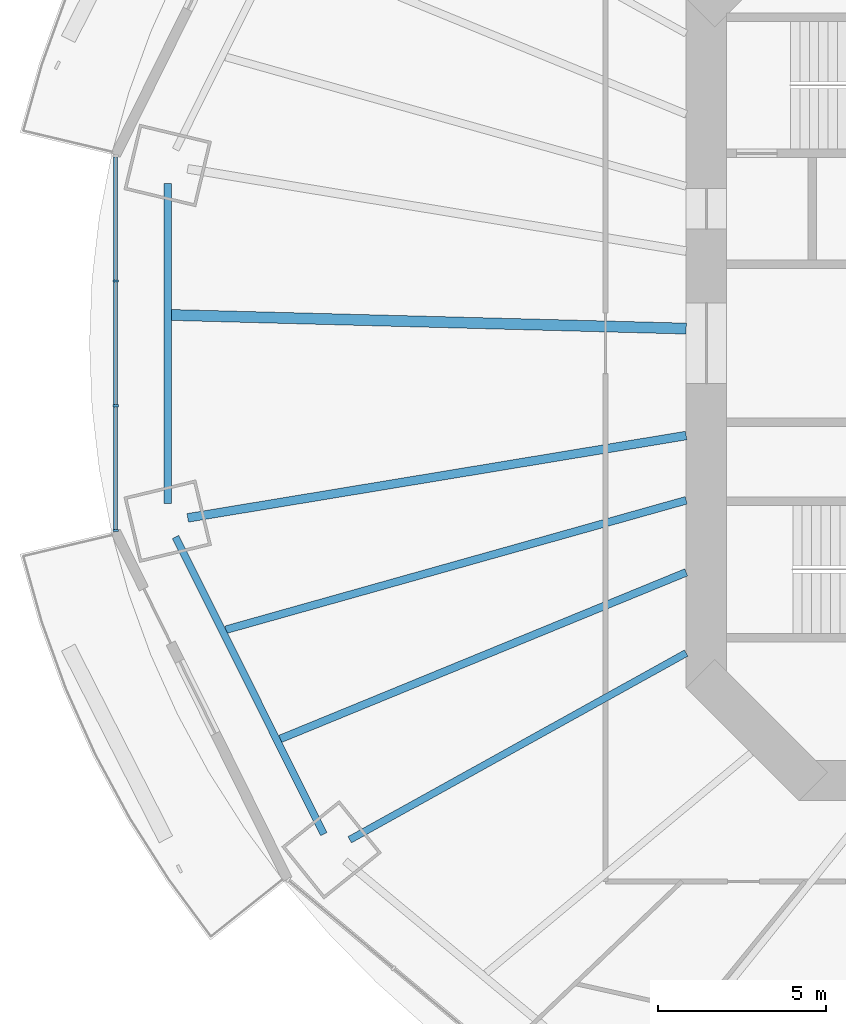
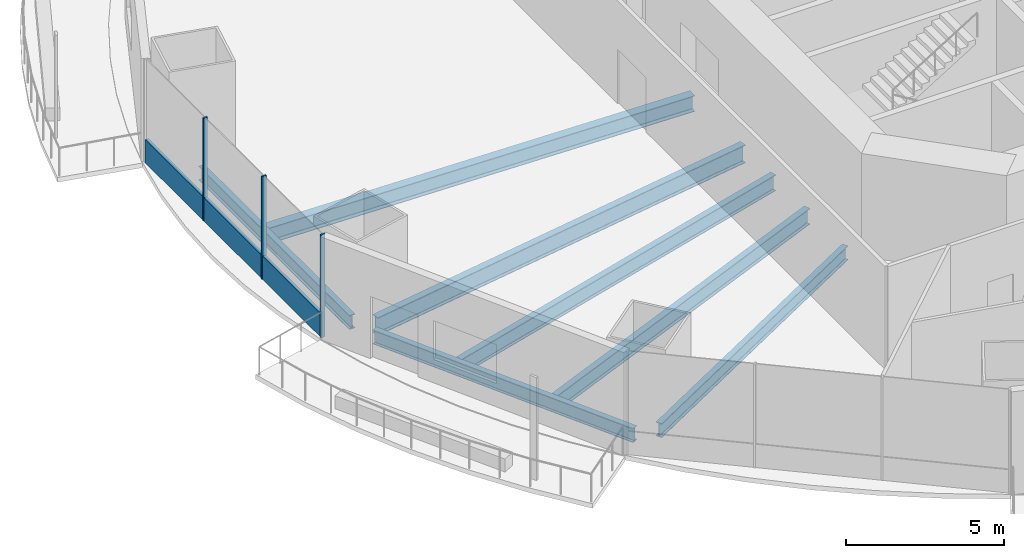
# One storey, part 3 of 22: 7 beams, 4 members, 1 element without a shape of its own.
"""IFC4 building model written with IfcOpenShell, lengths in metres."""

import ifcopenshell
import ifcopenshell.guid

model = None  # the IFC model being written
_history = None  # IfcOwnerHistory: only IFC2X3 demands one
_inside = {}  # id of a spatial element -> (the spatial element, [elements in it])
_under = {}  # id of a project, library or spatial element -> (it, [spatial elements below it])
_declared = {}  # id of a project -> (the project, [libraries it declares])
_typed = {}  # id of a type object -> (the type object, [elements of that type])
_made_of = {}  # id of a material, layer set ... -> (it, [elements and type objects made of it])


def new_model(schema):
    """Start an empty IFC model of exactly this schema.

    Asked for "IFC4X3", IfcOpenShell would pick the latest addendum, in which some entities
    have other attributes; the version numbers below select the first issue.
    IFC2X3 requires an IfcOwnerHistory on every rooted entity: one is made here for all.
    """
    global model, _history
    if schema == "IFC4X3":
        model = ifcopenshell.file(schema_version=(4, 3, 0, 0))
    else:
        model = ifcopenshell.file(schema=schema)
    _inside.clear()
    _under.clear()
    _declared.clear()
    _typed.clear()
    _made_of.clear()
    _history = None
    if model.schema == "IFC2X3":
        org = make("IfcOrganization", Name="unknown")
        user = make(
            "IfcPersonAndOrganization",
            ThePerson=make("IfcPerson", FamilyName="unknown"),
            TheOrganization=org,
        )
        app = make(
            "IfcApplication",
            ApplicationDeveloper=org,
            Version="unknown",
            ApplicationFullName="unknown",
            ApplicationIdentifier="unknown",
        )
        _history = make(
            "IfcOwnerHistory",
            OwningUser=user,
            OwningApplication=app,
            ChangeAction="ADDED",
            CreationDate=0,
        )
    return model


def make(cls, **values):
    """One entity of the class cls with the attributes given. An attribute that is None is left unset."""
    return model.create_entity(
        cls, **{name: value for name, value in values.items() if value is not None}
    )


def rooted(cls, **values):
    """An entity with a GlobalId (a new one), such as an element, a storey or a relation."""
    return make(cls, GlobalId=ifcopenshell.guid.new(), OwnerHistory=_history, **values)


def si_unit(unit_type, name, prefix=None):
    """IfcSIUnit, for example si_unit("LENGTHUNIT", "METRE", prefix="MILLI")."""
    return make("IfcSIUnit", UnitType=unit_type, Prefix=prefix, Name=name)


def assignment(units):
    """IfcUnitAssignment: the units of a project."""
    return None if units is None else make("IfcUnitAssignment", Units=units)


def point(xyz):
    """IfcCartesianPoint."""
    return None if xyz is None else make("IfcCartesianPoint", Coordinates=xyz)


def direction(xyz):
    """IfcDirection."""
    return None if xyz is None else make("IfcDirection", DirectionRatios=xyz)


def frame(location, z_axis=None, x_axis=None):
    """IfcAxis2Placement3D, a coordinate frame: its origin and axes. An axis left out is left unset."""
    return make(
        "IfcAxis2Placement3D",
        Location=point(location),
        Axis=direction(z_axis),
        RefDirection=direction(x_axis),
    )


def frame_2d(location, x_axis=None):
    """IfcAxis2Placement2D, a coordinate frame in the plane: its origin and x axis."""
    return make(
        "IfcAxis2Placement2D", Location=point(location), RefDirection=direction(x_axis)
    )


def origin():
    """The frame at (0, 0, 0) with its axes left unset."""
    return frame((0.0, 0.0, 0.0))


def origin_2d():
    """The frame at (0, 0) in the plane with its x axis left unset."""
    return frame_2d((0.0, 0.0))


def place(relative_to, where):
    """IfcLocalPlacement: puts the frame where relative to a parent placement (None: the world)."""
    return make(
        "IfcLocalPlacement", PlacementRelTo=relative_to, RelativePlacement=where
    )


def context(
    kind, dimensions, precision=None, world=None, true_north=None, identifier=None
):
    """IfcGeometricRepresentationContext, for example the 3D "Model" context."""
    return make(
        "IfcGeometricRepresentationContext",
        ContextIdentifier=identifier,
        ContextType=kind,
        CoordinateSpaceDimension=dimensions,
        Precision=precision,
        WorldCoordinateSystem=world,
        TrueNorth=true_north,
    )


def subcontext(parent, identifier, kind, view, scale=None):
    """IfcGeometricRepresentationSubContext, for example "Body" below "Model"."""
    return make(
        "IfcGeometricRepresentationSubContext",
        ContextIdentifier=identifier,
        ContextType=kind,
        ParentContext=parent,
        TargetScale=scale,
        TargetView=view,
    )


def project(units=None, contexts=None):
    """IfcProject with its units and contexts."""
    return rooted(
        "IfcProject",
        Name="project",
        RepresentationContexts=contexts,
        UnitsInContext=assignment(units),
    )


def spatial(cls, under=None, at=None, **own):
    """A site, building, storey or space (cls), placed at a placement, below another one or the project."""
    s = rooted(cls, ObjectPlacement=at, **own)
    if under is not None:
        _under.setdefault(under.id(), (under, []))[1].append(s)
    return s


def profile(cls, at=None, kind="AREA", **sizes):
    """A parametric profile (cls). Its sizes go by their IFC names, for example OverallWidth=200.0."""
    return make(cls, ProfileType=kind, Position=at, **sizes)


def rectangle(**sizes):
    """IfcRectangleProfileDef."""
    return profile("IfcRectangleProfileDef", **sizes)


def i_section(**sizes):
    """IfcIShapeProfileDef."""
    return profile("IfcIShapeProfileDef", **sizes)


def extrude(swept, where, along, depth):
    """IfcExtrudedAreaSolid: the profile swept, set in the frame where, extruded along a direction by depth."""
    return make(
        "IfcExtrudedAreaSolid",
        SweptArea=swept,
        Position=where,
        ExtrudedDirection=direction(along),
        Depth=depth,
    )


def shape(context_of_items, identifier, shape_type, items):
    """IfcShapeRepresentation: the items that make up one representation, for example the "Body"."""
    return make(
        "IfcShapeRepresentation",
        ContextOfItems=context_of_items,
        RepresentationIdentifier=identifier,
        RepresentationType=shape_type,
        Items=items,
    )


def material(Name=None, Category=None):
    """IfcMaterial."""
    return make("IfcMaterial", Name=Name, Category=Category)


def material_profile(
    of_material, cross_section, Name=None, Category=None, Priority=None
):
    """IfcMaterialProfile: a cross section and its material."""
    return make(
        "IfcMaterialProfile",
        Name=Name,
        Material=of_material,
        Profile=cross_section,
        Priority=Priority,
        Category=Category,
    )


def profile_set(profiles, Name=None, composite=None):
    """IfcMaterialProfileSet."""
    return make(
        "IfcMaterialProfileSet",
        Name=Name,
        MaterialProfiles=profiles,
        CompositeProfile=composite,
    )


def made_of(thing, what):
    """Note that an element or type object is made of a material, layer set ...; save() writes the relation."""
    if what is not None:
        _made_of.setdefault(what.id(), (what, []))[1].append(thing)
    return thing


def type_object(cls, material=None, **own):
    """A type object (cls), such as IfcWallType, which elements share."""
    return made_of(rooted(cls, **own), material)


def element(
    cls,
    number,
    at=None,
    inside=None,
    cuts=None,
    type_object=None,
    material=None,
    context=None,
    identifier="Body",
    shape_type=None,
    held_by="IfcProductDefinitionShape",
    body=None,
    shapes=None,
    **own,
):
    """One element of the class cls, such as IfcWall. Its Tag is "e" and its number.

    at: its placement. inside: the storey or other place that contains it. cuts: it is an
    opening in that element (IfcRelVoidsElement). A single representation is given by context,
    identifier, shape_type and body (its items); several are given by shapes. held_by: the class
    of the entity that holds the representations. save() writes the other relations.
    """
    e = rooted(cls, Tag="e%d" % number, ObjectPlacement=at, **own)
    if body is not None:
        shapes = [shape(context, identifier, shape_type, body)]
    if shapes is not None:
        e.Representation = make(held_by, Representations=shapes)
    if inside is not None:
        _inside.setdefault(inside.id(), (inside, []))[1].append(e)
    if cuts is not None:
        rooted(
            "IfcRelVoidsElement", RelatingBuildingElement=cuts, RelatedOpeningElement=e
        )
    if type_object is not None:
        _typed.setdefault(type_object.id(), (type_object, []))[1].append(e)
    return made_of(e, material)


def aggregate(whole, parts):
    """IfcRelAggregates: a whole, such as a stair, and the parts it consists of."""
    return rooted("IfcRelAggregates", RelatingObject=whole, RelatedObjects=parts)


def save(model, path):
    """Write the relations noted so far, then the file.

    IfcRelAggregates (storeys below a building ...), IfcRelContainedInSpatialStructure (elements
    in a storey), IfcRelDefinesByType, IfcRelAssociatesMaterial and IfcRelDeclares: one each for
    every whole, place, type object, material and project.
    """
    for whole, parts in _under.values():
        aggregate(whole, parts)
    for where, things in _inside.values():
        rooted(
            "IfcRelContainedInSpatialStructure",
            RelatedElements=things,
            RelatingStructure=where,
        )
    for kind, things in _typed.values():
        rooted("IfcRelDefinesByType", RelatedObjects=things, RelatingType=kind)
    for what, things in _made_of.values():
        rooted("IfcRelAssociatesMaterial", RelatedObjects=things, RelatingMaterial=what)
    for by, libraries in _declared.values():
        rooted("IfcRelDeclares", RelatingContext=by, RelatedDefinitions=libraries)
    model.write(path)


model = new_model("IFC4")

# Units and contexts
model_context = context("Model", 3, precision=1e-05, world=origin(), true_north=direction((0.0, 1.0)))
body_context = subcontext(model_context, "Body", "Model", "MODEL_VIEW")
ifc_project = project(units=[si_unit("LENGTHUNIT", "METRE"), si_unit("AREAUNIT", "SQUARE_METRE"), si_unit("VOLUMEUNIT", "CUBIC_METRE"), si_unit("PLANEANGLEUNIT", "RADIAN"), si_unit("MASSUNIT", "GRAM", prefix="KILO")], contexts=[model_context])

# Site, building, storey
site_placement = place(None, origin())
site = spatial("IfcSite", under=ifc_project, at=site_placement, CompositionType="ELEMENT")
building_placement = place(site_placement, origin())
building = spatial("IfcBuilding", under=site, at=building_placement, Name="Marenthal Gate Tower", CompositionType="ELEMENT")
storey_placement = place(building_placement, frame((0.0, 0.0, 111.85009765625)))
storey = spatial("IfcBuildingStorey", under=building, at=storey_placement, Name="L23", CompositionType="ELEMENT", Elevation=111.85009765625)

# Curtain wall, members
ifc_material_1 = material(Name="Aluminium and glass", Category="aluminium")
curtain_wall_type = type_object("IfcCurtainWallType", Name="Curtain wall typical low", PredefinedType="NOTDEFINED", material=ifc_material_1)
curtain_wall_placement = place(storey_placement, origin())
curtain_wall = element("IfcCurtainWall", 1, at=curtain_wall_placement, inside=storey, type_object=curtain_wall_type, Name="Curtain wall L23 bay 8", PredefinedType="NOTDEFINED")
ifc_material_2 = material(Name="Aluminium", Category="aluminium")
ifc_material_profile_1 = material_profile(ifc_material_2, rectangle(XDim=0.159912109375, YDim=0.06005859375, at=origin_2d()), Name="60x160 aluminium mullion")
ifc_profile_set_1 = profile_set([ifc_material_profile_1], Name="Aluminium")
member_type_1 = type_object("IfcMemberType", Name="Mullion 60x160 typical low", PredefinedType="MULLION", material=ifc_profile_set_1)
member_1_placement = place(storey_placement, frame((-33.568359375, 1.855712890625, 0.0), z_axis=(0.0, 0.0, 1.0), x_axis=(1.0, 0.0, 0.0)))
member_1 = element("IfcMember", 2, at=member_1_placement, type_object=member_type_1, Name="Mullion L23 bay 8.2", PredefinedType="MULLION", context=body_context, shape_type="SweptSolid", body=[
    extrude(rectangle(XDim=0.159912109375, YDim=0.06005859375, at=origin_2d()), origin(), (0.0, 0.0, 1.0), 3.969970703125),
])
member_2_placement = place(storey_placement, frame((-33.568359375, -1.855712890625, 0.0), z_axis=(0.0, 0.0, 1.0), x_axis=(1.0, 0.0, 0.0)))
member_2 = element("IfcMember", 3, at=member_2_placement, type_object=member_type_1, Name="Mullion L23 bay 8.3", PredefinedType="MULLION", context=body_context, shape_type="SweptSolid", body=[
    extrude(rectangle(XDim=0.159912109375, YDim=0.06005859375, at=origin_2d()), origin(), (0.0, 0.0, 1.0), 3.969970703125),
])
member_3_placement = place(storey_placement, frame((-33.568359375, -5.56689453125, 0.0), z_axis=(0.0, 0.0, 1.0), x_axis=(1.0, 0.0, 0.0)))
member_3 = element("IfcMember", 4, at=member_3_placement, type_object=member_type_1, Name="Mullion L23 bay 8.4", PredefinedType="MULLION", context=body_context, shape_type="SweptSolid", body=[
    extrude(rectangle(XDim=0.159912109375, YDim=0.06005859375, at=origin_2d()), origin(), (0.0, 0.0, 1.0), 3.969970703125),
])
ifc_material_3 = material(Name="Aluminium", Category="aluminium")
ifc_material_profile_2 = material_profile(ifc_material_3, rectangle(XDim=0.1201171875, YDim=0.89990234375, at=origin_2d()), Name="120x900 aluminium transom")
ifc_profile_set_2 = profile_set([ifc_material_profile_2], Name="Aluminium")
member_type_2 = type_object("IfcMemberType", Name="Transom 120x900 typical low", PredefinedType="USERDEFINED", material=ifc_profile_set_2)
member_4_placement = place(storey_placement, frame((-33.568359375, 5.536865234375, 0.449951171875), z_axis=(0.0, -1.0, 0.0), x_axis=(1.0, 0.0, 0.0)))
member_4 = element("IfcMember", 5, at=member_4_placement, type_object=member_type_2, Name="Transom L23 bay 8", ObjectType="TRANSOM", PredefinedType="USERDEFINED", context=body_context, shape_type="SweptSolid", body=[
    extrude(rectangle(XDim=0.1201171875, YDim=0.89990234375, at=origin_2d()), origin(), (0.0, 0.0, 1.0), 11.07373046875),
])
aggregate(curtain_wall, [member_1, member_2, member_3, member_4])

# Beams
ifc_material_4 = material(Name="Steel S355", Category="steel")
ifc_material_profile_3 = material_profile(ifc_material_4, i_section(OverallWidth=0.2119140625, OverallDepth=0.5439453125, WebThickness=0.01318359375, FlangeThickness=0.021240234375, FilletRadius=0.0126953125, at=origin_2d()), Name="W530X123")
ifc_profile_set_3 = profile_set([ifc_material_profile_3], Name="Steel S355")
beam_type_1 = type_object("IfcBeamType", Name="W530X123 beam", PredefinedType="BEAM", material=ifc_profile_set_3)
beam_1_placement = place(storey_placement, frame((-26.605224609375, -14.761474609375, -0.4521484375), z_axis=(0.87442184895, 0.485166394218, 0.0), x_axis=(-0.485166394218, 0.87442184895, 0.0)))
element("IfcBeam", 6, at=beam_1_placement, inside=storey, type_object=beam_type_1, Name="BM-L23-10", PredefinedType="BEAM", context=body_context, shape_type="SweptSolid", body=[
    extrude(i_section(OverallWidth=0.2119140625, OverallDepth=0.5439453125, WebThickness=0.01318359375, FlangeThickness=0.021240234375, FilletRadius=0.0126953125, at=origin_2d()), origin(), (0.0, 0.0, 1.0), 11.44189453125),
])
beam_2_placement = place(storey_placement, frame((-32.018798828125, 4.76025390625, -0.4521484375), z_axis=(0.0, -1.0, 0.0), x_axis=(1.0, 0.0, 0.0)))
element("IfcBeam", 7, at=beam_2_placement, inside=storey, type_object=beam_type_1, Name="BM-L23-48", PredefinedType="BEAM", context=body_context, shape_type="SweptSolid", body=[
    extrude(i_section(OverallWidth=0.2119140625, OverallDepth=0.5439453125, WebThickness=0.01318359375, FlangeThickness=0.021240234375, FilletRadius=0.0126953125, at=origin_2d()), origin(), (0.0, 0.0, 1.0), 9.5205078125),
])
beam_3_placement = place(storey_placement, frame((-31.78369140625, -5.759521484375, -0.4521484375), z_axis=(0.446372399163, -0.894847294942, 0.0), x_axis=(0.894847294942, 0.446372399163, 0.0)))
element("IfcBeam", 8, at=beam_3_placement, inside=storey, type_object=beam_type_1, Name="BM-L23-49", PredefinedType="BEAM", context=body_context, shape_type="SweptSolid", body=[
    extrude(i_section(OverallWidth=0.2119140625, OverallDepth=0.5439453125, WebThickness=0.01318359375, FlangeThickness=0.021240234375, FilletRadius=0.0126953125, at=origin_2d()), origin(), (0.0, 0.0, 1.0), 9.8701171875),
])
ifc_material_5 = material(Name="Steel S355", Category="steel")
ifc_material_profile_4 = material_profile(ifc_material_5, i_section(OverallWidth=0.22900390625, OverallDepth=0.612060546875, WebThickness=0.011962890625, FlangeThickness=0.01953125, FilletRadius=0.0126953125, at=origin_2d()), Name="W610X125")
ifc_profile_set_4 = profile_set([ifc_material_profile_4], Name="Steel S355")
beam_type_2 = type_object("IfcBeamType", Name="W610X125 beam", PredefinedType="BEAM", material=ifc_profile_set_4)
beam_4_placement = place(storey_placement, frame((-30.2900390625, -8.5166015625, -0.486083984375), z_axis=(0.962672470775, 0.270669011917, 0.0), x_axis=(-0.270669011917, 0.962672470775, 0.0)))
element("IfcBeam", 9, at=beam_4_placement, inside=storey, type_object=beam_type_2, Name="BM-L23-29", PredefinedType="BEAM", context=body_context, shape_type="SweptSolid", body=[
    extrude(i_section(OverallWidth=0.22900390625, OverallDepth=0.612060546875, WebThickness=0.011962890625, FlangeThickness=0.01953125, FilletRadius=0.0126953125, at=origin_2d()), origin(), (0.0, 0.0, 1.0), 14.220703125),
])
beam_5_placement = place(storey_placement, frame((-28.670654296875, -11.7626953125, -0.486083984375), z_axis=(0.925165248612, 0.379564569949, 0.0), x_axis=(-0.379564569949, 0.925165248612, 0.0)))
element("IfcBeam", 10, at=beam_5_placement, inside=storey, type_object=beam_type_2, Name="BM-L23-30", PredefinedType="BEAM", context=body_context, shape_type="SweptSolid", body=[
    extrude(i_section(OverallWidth=0.22900390625, OverallDepth=0.612060546875, WebThickness=0.011962890625, FlangeThickness=0.01953125, FilletRadius=0.0126953125, at=origin_2d()), origin(), (0.0, 0.0, 1.0), 13.046875),
])
ifc_material_6 = material(Name="Steel S355", Category="steel")
ifc_material_profile_5 = material_profile(ifc_material_6, i_section(OverallWidth=0.324951171875, OverallDepth=0.612060546875, WebThickness=0.0126953125, FlangeThickness=0.01904296875, FilletRadius=0.0126953125, at=origin_2d()), Name="W610X155")
ifc_profile_set_5 = profile_set([ifc_material_profile_5], Name="Steel S355")
beam_type_3 = type_object("IfcBeamType", Name="W610X155 beam", PredefinedType="BEAM", material=ifc_profile_set_5)
beam_6_placement = place(storey_placement, frame((-31.91259765625, 0.843505859375, -0.486083984375), z_axis=(0.999650779754, -0.02642571736, 0.0), x_axis=(0.02642571736, 0.999650779754, 0.0)))
element("IfcBeam", 11, at=beam_6_placement, inside=storey, type_object=beam_type_3, Name="BM-L23-28", PredefinedType="BEAM", context=body_context, shape_type="SweptSolid", body=[
    extrude(i_section(OverallWidth=0.324951171875, OverallDepth=0.612060546875, WebThickness=0.0126953125, FlangeThickness=0.01904296875, FilletRadius=0.0126953125, at=origin_2d()), origin(), (0.0, 0.0, 1.0), 15.31787109375),
])
ifc_material_7 = material(Name="Steel S355", Category="steel")
ifc_material_profile_6 = material_profile(ifc_material_7, i_section(OverallWidth=0.257080078125, OverallDepth=0.693115234375, WebThickness=0.014404296875, FlangeThickness=0.023681640625, FilletRadius=0.015380859375, at=origin_2d()), Name="W690X170")
ifc_profile_set_6 = profile_set([ifc_material_profile_6], Name="Steel S355")
beam_type_4 = type_object("IfcBeamType", Name="W690X170 beam", PredefinedType="BEAM", material=ifc_profile_set_6)
beam_7_placement = place(storey_placement, frame((-31.423828125, -5.190185546875, -0.526611328125), z_axis=(0.986631792526, 0.162965352074, 0.0), x_axis=(-0.162965352074, 0.986631792526, 0.0)))
element("IfcBeam", 12, at=beam_7_placement, inside=storey, type_object=beam_type_4, Name="BM-L23-09", PredefinedType="BEAM", context=body_context, shape_type="SweptSolid", body=[
    extrude(i_section(OverallWidth=0.257080078125, OverallDepth=0.693115234375, WebThickness=0.014404296875, FlangeThickness=0.023681640625, FilletRadius=0.015380859375, at=origin_2d()), origin(), (0.0, 0.0, 1.0), 15.024658203125),
])

save(model, "model.ifc")
